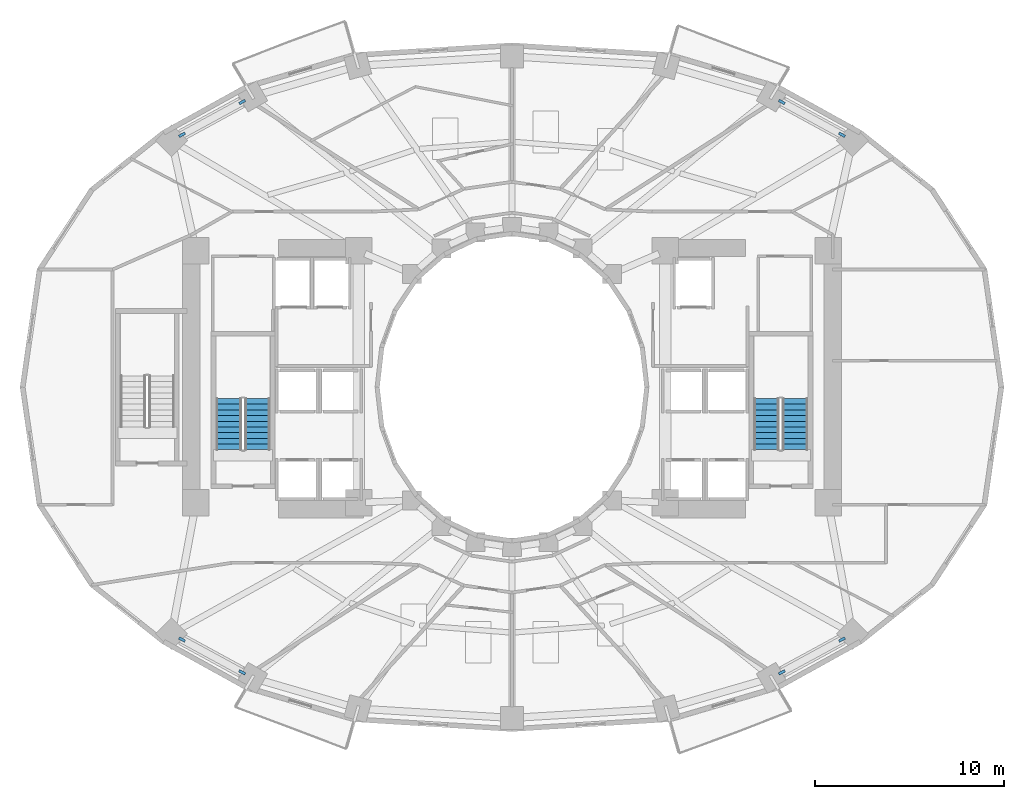
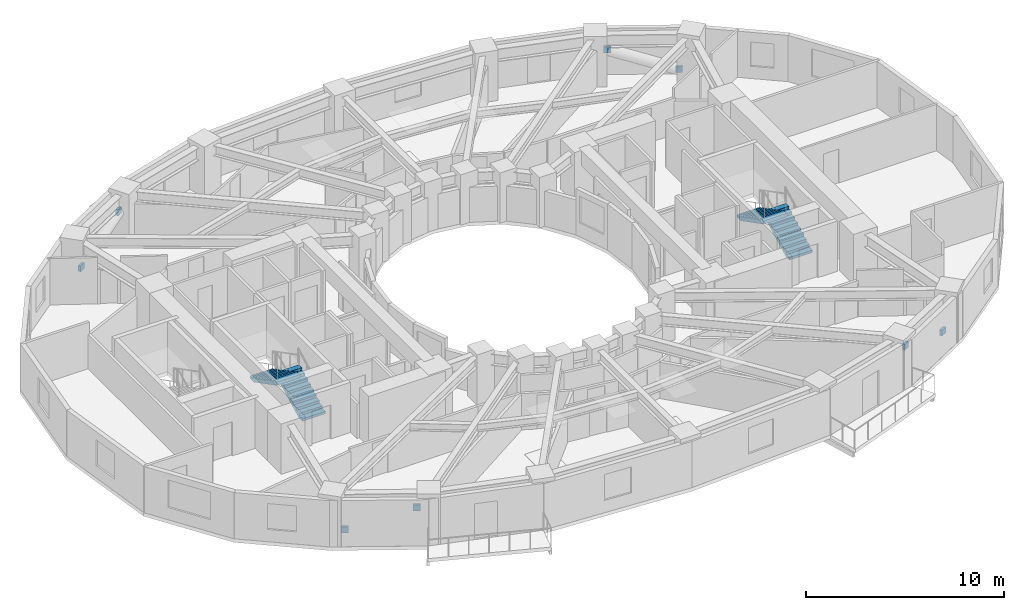
# One storey, part 8 of 11: 8 discrete accessories, 4 stair flights, 2 elements without a shape of their own.
"""IFC4 building model written with IfcOpenShell, lengths in metres."""

from ifc_helpers import new_model, si_unit, direction, frame, origin, origin_2d, place, context, subcontext, project, spatial, polyline, rectangle, outline, extrude, material, layer, layer_set, type_object, element, aggregate, save


model = new_model("IFC4")

# Units and contexts
model_context = context("Model", 3, precision=1e-05, world=origin(), true_north=direction((0.0, 1.0)))
body_context = subcontext(model_context, "Body", "Model", "MODEL_VIEW")
ifc_project = project(units=[si_unit("LENGTHUNIT", "METRE"), si_unit("AREAUNIT", "SQUARE_METRE"), si_unit("VOLUMEUNIT", "CUBIC_METRE"), si_unit("PLANEANGLEUNIT", "RADIAN"), si_unit("MASSUNIT", "GRAM", prefix="KILO")], contexts=[model_context])

# Site, building, storey
site_placement = place(None, origin())
site = spatial("IfcSite", under=ifc_project, at=site_placement, CompositionType="ELEMENT")
building_placement = place(site_placement, origin())
building = spatial("IfcBuilding", under=site, at=building_placement, Name="Solvane Sanctuary Tower", CompositionType="ELEMENT")
storey_placement = place(building_placement, frame((0.0, 0.0, 49.300048828125)))
storey = spatial("IfcBuildingStorey", under=building, at=storey_placement, Name="L14", CompositionType="ELEMENT", Elevation=49.300048828125)

# Stair, stair flights
ifc_material_1 = material(Name="Concrete C45/55", Category="concrete")
stair_type = type_object("IfcStairType", Name="Stair ST-TOW", PredefinedType="HALF_TURN_STAIR", material=ifc_material_1)
stair_1_placement = place(storey_placement, origin())
stair_1 = element("IfcStair", 1, at=stair_1_placement, inside=storey, type_object=stair_type, Name="L14 Exit Stair ST-1 West Core", PredefinedType="HALF_TURN_STAIR")
stair_flight_type = type_object("IfcStairFlightType", Name="StairFlight SF-TOW", PredefinedType="STRAIGHT", material=ifc_material_1)
stair_flight_1_placement = place(storey_placement, frame((18.544921875, 19.699951171875, 0.0), z_axis=(0.0, 0.0, 1.0), x_axis=(0.0, 1.0, 0.0)))
stair_flight_1 = element("IfcStairFlight", 2, at=stair_flight_1_placement, type_object=stair_flight_type, Name="ST-1 flight 1", NumberOfRisers=10, NumberOfTreads=9, PredefinedType="STRAIGHT", RiserHeight=0.155, TreadLength=0.3, context=body_context, shape_type="SweptSolid", body=[
    extrude(outline(polyline([(0.0, 0.0), (0.0, 0.155029296875), (0.300048828125, 0.155029296875), (0.300048828125, 0.31005859375), (0.60009765625, 0.31005859375), (0.60009765625, 0.465087890625), (0.89990234375, 0.465087890625), (0.89990234375, 0.6201171875), (1.199951171875, 0.6201171875), (1.199951171875, 0.77490234375), (1.5, 0.77490234375), (1.5, 0.929931640625), (1.800048828125, 0.929931640625), (1.800048828125, 1.0849609375), (2.10009765625, 1.0849609375), (2.10009765625, 1.239990234375), (2.39990234375, 1.239990234375), (2.39990234375, 1.39501953125), (2.699951171875, 1.39501953125), (2.699951171875, 1.550048828125), (2.699951171875, 1.1923828125), (0.39208984375, 0.0), (0.0, 0.0)])), frame((0.0, 0.675048828125, 0.0), z_axis=(0.0, -1.0, 0.0), x_axis=(1.0, 0.0, 0.0)), (0.0, 0.0, 1.0), 1.35009765625),
])
stair_flight_2_placement = place(storey_placement, frame((17.034912109375, 22.39990234375, 1.550048828125), z_axis=(0.0, 0.0, 1.0), x_axis=(0.0, -1.0, 0.0)))
stair_flight_2 = element("IfcStairFlight", 3, at=stair_flight_2_placement, type_object=stair_flight_type, Name="ST-1 flight 2", NumberOfRisers=10, NumberOfTreads=9, PredefinedType="STRAIGHT", RiserHeight=0.155, TreadLength=0.3, context=body_context, shape_type="SweptSolid", body=[
    extrude(outline(polyline([(0.0, 0.0), (0.0, 0.155029296875), (0.300048828125, 0.155029296875), (0.300048828125, 0.31005859375), (0.60009765625, 0.31005859375), (0.60009765625, 0.465087890625), (0.89990234375, 0.465087890625), (0.89990234375, 0.6201171875), (1.199951171875, 0.6201171875), (1.199951171875, 0.77490234375), (1.5, 0.77490234375), (1.5, 0.929931640625), (1.800048828125, 0.929931640625), (1.800048828125, 1.0849609375), (2.10009765625, 1.0849609375), (2.10009765625, 1.239990234375), (2.39990234375, 1.239990234375), (2.39990234375, 1.39501953125), (2.699951171875, 1.39501953125), (2.699951171875, 1.550048828125), (2.699951171875, 1.1923828125), (0.39208984375, 0.0), (0.0, 0.0)])), frame((0.0, 0.675048828125, 0.0), z_axis=(0.0, -1.0, 0.0), x_axis=(1.0, 0.0, 0.0)), (0.0, 0.0, 1.0), 1.35009765625),
])
aggregate(stair_1, [stair_flight_1, stair_flight_2])

stair_2_placement = place(storey_placement, origin())
stair_2 = element("IfcStair", 4, at=stair_2_placement, inside=storey, type_object=stair_type, Name="L14 Exit Stair ST-2 East Core", PredefinedType="HALF_TURN_STAIR")
stair_flight_3_placement = place(storey_placement, frame((46.965087890625, 19.699951171875, 0.0), z_axis=(0.0, 0.0, 1.0), x_axis=(0.0, 1.0, 0.0)))
stair_flight_3 = element("IfcStairFlight", 5, at=stair_flight_3_placement, type_object=stair_flight_type, Name="ST-2 flight 1", NumberOfRisers=10, NumberOfTreads=9, PredefinedType="STRAIGHT", RiserHeight=0.155, TreadLength=0.3, context=body_context, shape_type="SweptSolid", body=[
    extrude(outline(polyline([(0.0, 0.0), (0.0, 0.155029296875), (0.300048828125, 0.155029296875), (0.300048828125, 0.31005859375), (0.60009765625, 0.31005859375), (0.60009765625, 0.465087890625), (0.89990234375, 0.465087890625), (0.89990234375, 0.6201171875), (1.199951171875, 0.6201171875), (1.199951171875, 0.77490234375), (1.5, 0.77490234375), (1.5, 0.929931640625), (1.800048828125, 0.929931640625), (1.800048828125, 1.0849609375), (2.10009765625, 1.0849609375), (2.10009765625, 1.239990234375), (2.39990234375, 1.239990234375), (2.39990234375, 1.39501953125), (2.699951171875, 1.39501953125), (2.699951171875, 1.550048828125), (2.699951171875, 1.1923828125), (0.39208984375, 0.0), (0.0, 0.0)])), frame((0.0, 0.675048828125, 0.0), z_axis=(0.0, -1.0, 0.0), x_axis=(1.0, 0.0, 0.0)), (0.0, 0.0, 1.0), 1.35009765625),
])
stair_flight_4_placement = place(storey_placement, frame((45.455078125, 22.39990234375, 1.550048828125), z_axis=(0.0, 0.0, 1.0), x_axis=(0.0, -1.0, 0.0)))
stair_flight_4 = element("IfcStairFlight", 6, at=stair_flight_4_placement, type_object=stair_flight_type, Name="ST-2 flight 2", NumberOfRisers=10, NumberOfTreads=9, PredefinedType="STRAIGHT", RiserHeight=0.155, TreadLength=0.3, context=body_context, shape_type="SweptSolid", body=[
    extrude(outline(polyline([(0.0, 0.0), (0.0, 0.155029296875), (0.300048828125, 0.155029296875), (0.300048828125, 0.31005859375), (0.60009765625, 0.31005859375), (0.60009765625, 0.465087890625), (0.89990234375, 0.465087890625), (0.89990234375, 0.6201171875), (1.199951171875, 0.6201171875), (1.199951171875, 0.77490234375), (1.5, 0.77490234375), (1.5, 0.929931640625), (1.800048828125, 0.929931640625), (1.800048828125, 1.0849609375), (2.10009765625, 1.0849609375), (2.10009765625, 1.239990234375), (2.39990234375, 1.239990234375), (2.39990234375, 1.39501953125), (2.699951171875, 1.39501953125), (2.699951171875, 1.550048828125), (2.699951171875, 1.1923828125), (0.39208984375, 0.0), (0.0, 0.0)])), frame((0.0, 0.675048828125, 0.0), z_axis=(0.0, -1.0, 0.0), x_axis=(1.0, 0.0, 0.0)), (0.0, 0.0, 1.0), 1.35009765625),
])
aggregate(stair_2, [stair_flight_3, stair_flight_4])

# Discrete accessories
ifc_material_2 = material(Name="Steel ASTM A572 Grade 50", Category="steel")
ifc_layer = layer(ifc_material_2, 0.360107421875, Name="Steel ASTM A572 Grade 50")
ifc_layer_set = layer_set([ifc_layer], Name="Steel ASTM A572 Grade 50")
discrete_accessory_type = type_object("IfcDiscreteAccessoryType", Name="Accessory ACC-GUSSET-BRK", PredefinedType="BRACKET", material=ifc_layer_set)
for number, where, z_axis, x_axis, name in (
    (7, (49.438232421875, 36.3369140625, 0.4228515625), (0.0, 0.0, 1.0), (-0.878066509545, 0.478538613714, 0.0), "L14 Perimeter Braced-Tube Diagonal NE End Gusset Bracket A"),
    (8, (46.25830078125, 38.070068359375, 1.70458984375), (0.0, 0.0, 1.0), (-0.878066509545, 0.478538613714, 0.0), "L14 Perimeter Braced-Tube Diagonal NE End Gusset Bracket B"),
    (9, (14.561767578125, 36.3369140625, 0.4228515625), (0.0, 0.0, 1.0), (0.878066509545, 0.478538613714, 0.0), "L14 Perimeter Braced-Tube Diagonal NW End Gusset Bracket A"),
    (10, (17.74169921875, 38.070068359375, 1.70458984375), (0.0, 0.0, 1.0), (0.878066509545, 0.478538613714, 0.0), "L14 Perimeter Braced-Tube Diagonal NW End Gusset Bracket B"),
    (11, (14.561767578125, 9.6630859375, 0.4228515625), (0.0, 0.0, 1.0), (0.878066509545, -0.478538613714, 0.0), "L14 Perimeter Braced-Tube Diagonal SW End Gusset Bracket A"),
    (12, (17.74169921875, 7.929931640625, 1.70458984375), (0.0, 0.0, 1.0), (0.878066509545, -0.478538613714, 0.0), "L14 Perimeter Braced-Tube Diagonal SW End Gusset Bracket B"),
    (13, (49.438232421875, 9.6630859375, 0.4228515625), (0.0, 0.0, 1.0), (-0.878066509545, -0.478538613714, 0.0), "L14 Perimeter Braced-Tube Diagonal SE End Gusset Bracket A"),
    (14, (46.25830078125, 7.929931640625, 1.70458984375), (0.0, 0.0, 1.0), (-0.878066509545, -0.478538613714, 0.0), "L14 Perimeter Braced-Tube Diagonal SE End Gusset Bracket B"),
):
    element("IfcDiscreteAccessory", number, at=place(storey_placement, frame(where, z_axis=z_axis, x_axis=x_axis)), inside=storey, type_object=discrete_accessory_type, Name=name, PredefinedType="BRACKET", context=body_context, shape_type="SweptSolid", body=[
        extrude(rectangle(XDim=0.360107421875, YDim=0.139892578125, at=origin_2d()), origin(), (0.0, 0.0, 1.0), 0.360107421875),
    ])

save(model, "model.ifc")
